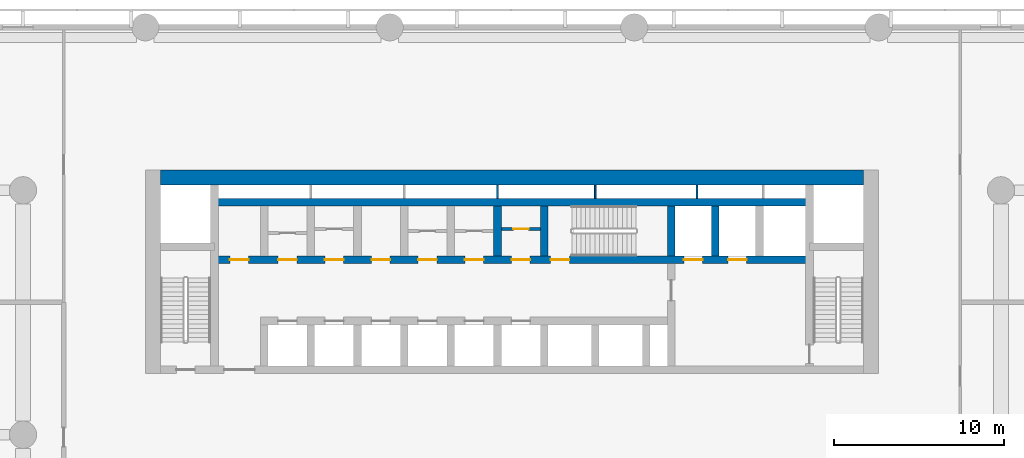
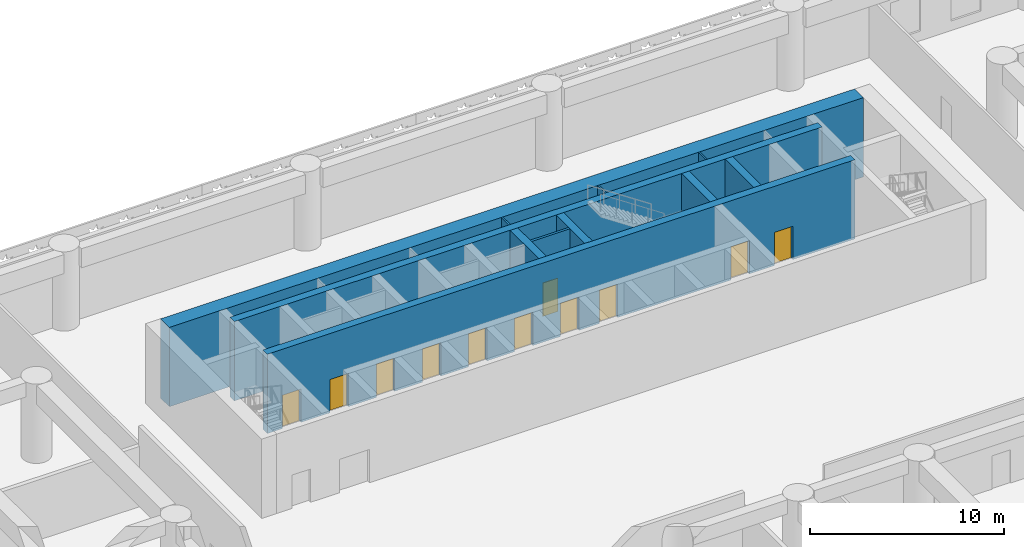
# One storey, part 8 of 30: 11 doors, 11 walls, 11 openings.
"""IFC4 building model written with IfcOpenShell, lengths in metres."""

import ifcopenshell
import ifcopenshell.guid

model = None  # the IFC model being written
_history = None  # IfcOwnerHistory: only IFC2X3 demands one
_inside = {}  # id of a spatial element -> (the spatial element, [elements in it])
_under = {}  # id of a project, library or spatial element -> (it, [spatial elements below it])
_declared = {}  # id of a project -> (the project, [libraries it declares])
_typed = {}  # id of a type object -> (the type object, [elements of that type])
_made_of = {}  # id of a material, layer set ... -> (it, [elements and type objects made of it])


def new_model(schema):
    """Start an empty IFC model of exactly this schema.

    Asked for "IFC4X3", IfcOpenShell would pick the latest addendum, in which some entities
    have other attributes; the version numbers below select the first issue.
    IFC2X3 requires an IfcOwnerHistory on every rooted entity: one is made here for all.
    """
    global model, _history
    if schema == "IFC4X3":
        model = ifcopenshell.file(schema_version=(4, 3, 0, 0))
    else:
        model = ifcopenshell.file(schema=schema)
    _inside.clear()
    _under.clear()
    _declared.clear()
    _typed.clear()
    _made_of.clear()
    _history = None
    if model.schema == "IFC2X3":
        org = make("IfcOrganization", Name="unknown")
        user = make(
            "IfcPersonAndOrganization",
            ThePerson=make("IfcPerson", FamilyName="unknown"),
            TheOrganization=org,
        )
        app = make(
            "IfcApplication",
            ApplicationDeveloper=org,
            Version="unknown",
            ApplicationFullName="unknown",
            ApplicationIdentifier="unknown",
        )
        _history = make(
            "IfcOwnerHistory",
            OwningUser=user,
            OwningApplication=app,
            ChangeAction="ADDED",
            CreationDate=0,
        )
    return model


def make(cls, **values):
    """One entity of the class cls with the attributes given. An attribute that is None is left unset."""
    return model.create_entity(
        cls, **{name: value for name, value in values.items() if value is not None}
    )


def rooted(cls, **values):
    """An entity with a GlobalId (a new one), such as an element, a storey or a relation."""
    return make(cls, GlobalId=ifcopenshell.guid.new(), OwnerHistory=_history, **values)


def si_unit(unit_type, name, prefix=None):
    """IfcSIUnit, for example si_unit("LENGTHUNIT", "METRE", prefix="MILLI")."""
    return make("IfcSIUnit", UnitType=unit_type, Prefix=prefix, Name=name)


def assignment(units):
    """IfcUnitAssignment: the units of a project."""
    return None if units is None else make("IfcUnitAssignment", Units=units)


def point(xyz):
    """IfcCartesianPoint."""
    return None if xyz is None else make("IfcCartesianPoint", Coordinates=xyz)


def direction(xyz):
    """IfcDirection."""
    return None if xyz is None else make("IfcDirection", DirectionRatios=xyz)


def frame(location, z_axis=None, x_axis=None):
    """IfcAxis2Placement3D, a coordinate frame: its origin and axes. An axis left out is left unset."""
    return make(
        "IfcAxis2Placement3D",
        Location=point(location),
        Axis=direction(z_axis),
        RefDirection=direction(x_axis),
    )


def frame_2d(location, x_axis=None):
    """IfcAxis2Placement2D, a coordinate frame in the plane: its origin and x axis."""
    return make(
        "IfcAxis2Placement2D", Location=point(location), RefDirection=direction(x_axis)
    )


def origin():
    """The frame at (0, 0, 0) with its axes left unset."""
    return frame((0.0, 0.0, 0.0))


def place(relative_to, where):
    """IfcLocalPlacement: puts the frame where relative to a parent placement (None: the world)."""
    return make(
        "IfcLocalPlacement", PlacementRelTo=relative_to, RelativePlacement=where
    )


def context(
    kind, dimensions, precision=None, world=None, true_north=None, identifier=None
):
    """IfcGeometricRepresentationContext, for example the 3D "Model" context."""
    return make(
        "IfcGeometricRepresentationContext",
        ContextIdentifier=identifier,
        ContextType=kind,
        CoordinateSpaceDimension=dimensions,
        Precision=precision,
        WorldCoordinateSystem=world,
        TrueNorth=true_north,
    )


def subcontext(parent, identifier, kind, view, scale=None):
    """IfcGeometricRepresentationSubContext, for example "Body" below "Model"."""
    return make(
        "IfcGeometricRepresentationSubContext",
        ContextIdentifier=identifier,
        ContextType=kind,
        ParentContext=parent,
        TargetScale=scale,
        TargetView=view,
    )


def project(units=None, contexts=None):
    """IfcProject with its units and contexts."""
    return rooted(
        "IfcProject",
        Name="project",
        RepresentationContexts=contexts,
        UnitsInContext=assignment(units),
    )


def spatial(cls, under=None, at=None, **own):
    """A site, building, storey or space (cls), placed at a placement, below another one or the project."""
    s = rooted(cls, ObjectPlacement=at, **own)
    if under is not None:
        _under.setdefault(under.id(), (under, []))[1].append(s)
    return s


def profile(cls, at=None, kind="AREA", **sizes):
    """A parametric profile (cls). Its sizes go by their IFC names, for example OverallWidth=200.0."""
    return make(cls, ProfileType=kind, Position=at, **sizes)


def rectangle(**sizes):
    """IfcRectangleProfileDef."""
    return profile("IfcRectangleProfileDef", **sizes)


def extrude(swept, where, along, depth):
    """IfcExtrudedAreaSolid: the profile swept, set in the frame where, extruded along a direction by depth."""
    return make(
        "IfcExtrudedAreaSolid",
        SweptArea=swept,
        Position=where,
        ExtrudedDirection=direction(along),
        Depth=depth,
    )


def shape(context_of_items, identifier, shape_type, items):
    """IfcShapeRepresentation: the items that make up one representation, for example the "Body"."""
    return make(
        "IfcShapeRepresentation",
        ContextOfItems=context_of_items,
        RepresentationIdentifier=identifier,
        RepresentationType=shape_type,
        Items=items,
    )


def material(Name=None, Category=None):
    """IfcMaterial."""
    return make("IfcMaterial", Name=Name, Category=Category)


def layer(
    of_material, thickness, ventilated=None, Name=None, Category=None, Priority=None
):
    """IfcMaterialLayer: one layer of a wall or slab, of a material (None: an air gap)."""
    return make(
        "IfcMaterialLayer",
        Material=of_material,
        LayerThickness=thickness,
        IsVentilated=ventilated,
        Name=Name,
        Category=Category,
        Priority=Priority,
    )


def layer_set(layers, Name=None):
    """IfcMaterialLayerSet."""
    return make("IfcMaterialLayerSet", MaterialLayers=layers, LayerSetName=Name)


def made_of(thing, what):
    """Note that an element or type object is made of a material, layer set ...; save() writes the relation."""
    if what is not None:
        _made_of.setdefault(what.id(), (what, []))[1].append(thing)
    return thing


def type_object(cls, material=None, **own):
    """A type object (cls), such as IfcWallType, which elements share."""
    return made_of(rooted(cls, **own), material)


def element(
    cls,
    number,
    at=None,
    inside=None,
    cuts=None,
    type_object=None,
    material=None,
    context=None,
    identifier="Body",
    shape_type=None,
    held_by="IfcProductDefinitionShape",
    body=None,
    shapes=None,
    **own,
):
    """One element of the class cls, such as IfcWall. Its Tag is "e" and its number.

    at: its placement. inside: the storey or other place that contains it. cuts: it is an
    opening in that element (IfcRelVoidsElement). A single representation is given by context,
    identifier, shape_type and body (its items); several are given by shapes. held_by: the class
    of the entity that holds the representations. save() writes the other relations.
    """
    e = rooted(cls, Tag="e%d" % number, ObjectPlacement=at, **own)
    if body is not None:
        shapes = [shape(context, identifier, shape_type, body)]
    if shapes is not None:
        e.Representation = make(held_by, Representations=shapes)
    if inside is not None:
        _inside.setdefault(inside.id(), (inside, []))[1].append(e)
    if cuts is not None:
        rooted(
            "IfcRelVoidsElement", RelatingBuildingElement=cuts, RelatedOpeningElement=e
        )
    if type_object is not None:
        _typed.setdefault(type_object.id(), (type_object, []))[1].append(e)
    return made_of(e, material)


def fill(opening, filler):
    """IfcRelFillsElement: the door or window that sits in an opening."""
    return rooted(
        "IfcRelFillsElement",
        RelatingOpeningElement=opening,
        RelatedBuildingElement=filler,
    )


def aggregate(whole, parts):
    """IfcRelAggregates: a whole, such as a stair, and the parts it consists of."""
    return rooted("IfcRelAggregates", RelatingObject=whole, RelatedObjects=parts)


def save(model, path):
    """Write the relations noted so far, then the file.

    IfcRelAggregates (storeys below a building ...), IfcRelContainedInSpatialStructure (elements
    in a storey), IfcRelDefinesByType, IfcRelAssociatesMaterial and IfcRelDeclares: one each for
    every whole, place, type object, material and project.
    """
    for whole, parts in _under.values():
        aggregate(whole, parts)
    for where, things in _inside.values():
        rooted(
            "IfcRelContainedInSpatialStructure",
            RelatedElements=things,
            RelatingStructure=where,
        )
    for kind, things in _typed.values():
        rooted("IfcRelDefinesByType", RelatedObjects=things, RelatingType=kind)
    for what, things in _made_of.values():
        rooted("IfcRelAssociatesMaterial", RelatedObjects=things, RelatingMaterial=what)
    for by, libraries in _declared.values():
        rooted("IfcRelDeclares", RelatingContext=by, RelatedDefinitions=libraries)
    model.write(path)


model = new_model("IFC4")

# Units and contexts
model_context = context("Model", 3, precision=1e-05, world=origin(), true_north=direction((0.0, 1.0)))
body_context = subcontext(model_context, "Body", "Model", "MODEL_VIEW")
ifc_project = project(units=[si_unit("LENGTHUNIT", "METRE"), si_unit("AREAUNIT", "SQUARE_METRE"), si_unit("VOLUMEUNIT", "CUBIC_METRE"), si_unit("PLANEANGLEUNIT", "RADIAN"), si_unit("MASSUNIT", "GRAM", prefix="KILO")], contexts=[model_context])

# Site, building, storey
site_placement = place(None, origin())
site = spatial("IfcSite", under=ifc_project, at=site_placement, CompositionType="ELEMENT")
building_placement = place(site_placement, origin())
building = spatial("IfcBuilding", under=site, at=building_placement, Name="Saffron Iwan Residences", CompositionType="ELEMENT")
storey_placement = place(building_placement, frame((0.0, 0.0, 7.800048828125)))
storey = spatial("IfcBuildingStorey", under=building, at=storey_placement, Name="L01", CompositionType="ELEMENT", Elevation=7.800048828125)

# Wall, opening, door
ifc_material_1 = material(Name="Fire-rated plasterboard partition")
ifc_layer_1 = layer(ifc_material_1, 0.14990234375)
ifc_layer_set_1 = layer_set([ifc_layer_1], Name="Fire-rated plasterboard partition")
wall_type_1 = type_object("IfcWallType", Name="Core partition 150", PredefinedType="PARTITIONING", material=ifc_layer_set_1)
wall_1_placement = place(storey_placement, frame((49.77490234375, 74.51806640625, 0.0), z_axis=(0.0, 0.0, 1.0), x_axis=(1.0, 0.0, 0.0)))
wall_1 = element("IfcWall", 1, at=wall_1_placement, inside=storey, type_object=wall_type_1, Name="Core partition P05", PredefinedType="PARTITIONING", context=body_context, shape_type="SweptSolid", body=[
    extrude(rectangle(XDim=2.300048828125, YDim=0.14990234375, at=frame_2d((1.14990234375, 0.0))), origin(), (0.0, 0.0, 1.0), 5.0),
])
opening_1_placement = place(wall_1_placement, frame((0.699951171875, 0.0, 0.0)))
opening_1 = element("IfcOpeningElement", 2, at=opening_1_placement, cuts=wall_1, Name="Opening SB", PredefinedType="OPENING", context=body_context, shape_type="SweptSolid", body=[
    extrude(rectangle(XDim=0.89990234375, YDim=2.10009765625, at=frame_2d((0.449951171875, 1.050048828125))), frame((0.0, 0.0849609375, 0.0), z_axis=(0.0, -1.0, 0.0), x_axis=(1.0, 0.0, 0.0)), (0.0, 0.0, 1.0), 0.169921875),
])
ifc_material_2 = material(Name="Steel fire door", Category="steel")
door_type_1 = type_object("IfcDoorType", Name="Store door 900", OperationType="NOTDEFINED", PredefinedType="DOOR", material=ifc_material_2)
door_1_placement = place(opening_1_placement, origin())
door_1 = element("IfcDoor", 3, at=door_1_placement, inside=storey, type_object=door_type_1, Name="Door Spares store", OperationType="SINGLE_SWING_LEFT", OverallHeight=2.10009765625, OverallWidth=0.89990234375, PredefinedType="DOOR", context=body_context, shape_type="SweptSolid", body=[
    extrude(rectangle(XDim=0.89990234375, YDim=2.10009765625, at=frame_2d((0.449951171875, 1.050048828125))), frame((0.0, 0.02490234375, 0.0), z_axis=(0.0, -1.0, 0.0), x_axis=(1.0, 0.0, 0.0)), (0.0, 0.0, 1.0), 0.050048828125),
])
fill(opening_1, door_1)

# Walls
ifc_layer_2 = layer(ifc_material_1, 0.10009765625)
ifc_layer_set_2 = layer_set([ifc_layer_2], Name="Fire-rated plasterboard partition")
wall_type_2 = type_object("IfcWallType", Name="Riser partition 100", PredefinedType="PARTITIONING", material=ifc_layer_set_2)
for number, where, z_axis, x_axis, name in (
    (4, (49.550048828125, 76.324951171875, 0.0), (0.0, 0.0, 1.0), (0.0, 1.0, 0.0), "Core partition P08"),
    (5, (55.300048828125, 76.324951171875, 0.0), (0.0, 0.0, 1.0), (0.0, 1.0, 0.0), "Core partition P09"),
    (6, (61.300048828125, 76.324951171875, 0.0), (0.0, 0.0, 1.0), (0.0, 1.0, 0.0), "Core partition P10"),
):
    element("IfcWall", number, at=place(storey_placement, frame(where, z_axis=z_axis, x_axis=x_axis)), inside=storey, type_object=wall_type_2, Name=name, PredefinedType="PARTITIONING", context=body_context, shape_type="SweptSolid", body=[
        extrude(rectangle(XDim=0.775146484375, YDim=0.10009765625, at=frame_2d((0.3876953125, 0.0))), origin(), (0.0, 0.0, 1.0), 5.0),
    ])

# Wall, openings, doors
ifc_material_3 = material(Name="Concrete C60/75", Category="concrete")
ifc_layer_3 = layer(ifc_material_3, 0.449951171875)
ifc_layer_set_3 = layer_set([ifc_layer_3], Name="Concrete C60/75")
wall_type_3 = type_object("IfcWallType", Name="WALL CORE 450 C60/75 5000 HIGH", PredefinedType="SHEAR", material=ifc_layer_set_3)
wall_2_placement = place(storey_placement, frame((32.875, 72.699951171875, 0.0), z_axis=(0.0, 0.0, 1.0), x_axis=(1.0, 0.0, 0.0)))
wall_2 = element("IfcWall", 7, at=wall_2_placement, inside=storey, type_object=wall_type_3, Name="Core wall", PredefinedType="SHEAR", context=body_context, shape_type="SweptSolid", body=[
    extrude(rectangle(XDim=35.050048828125, YDim=0.449951171875, at=frame_2d((17.52490234375, 0.0))), origin(), (0.0, 0.0, 1.0), 5.0),
])
opening_2_placement = place(wall_2_placement, frame((19.800048828125, 0.0, 0.0)))
opening_2 = element("IfcOpeningElement", 8, at=opening_2_placement, cuts=wall_2, Name="Opening SD", PredefinedType="OPENING", context=body_context, shape_type="SweptSolid", body=[
    extrude(rectangle(XDim=1.10009765625, YDim=2.10009765625, at=frame_2d((0.550048828125, 1.050048828125))), frame((0.0, 0.23486328125, 0.0), z_axis=(0.0, -1.0, 0.0), x_axis=(1.0, 0.0, 0.0)), (0.0, 0.0, 1.0), 0.469970703125),
])
opening_3_placement = place(wall_2_placement, frame((27.64990234375, 0.0, 0.0)))
opening_3 = element("IfcOpeningElement", 9, at=opening_3_placement, cuts=wall_2, Name="Opening LD", PredefinedType="OPENING", context=body_context, shape_type="SweptSolid", body=[
    extrude(rectangle(XDim=1.10009765625, YDim=2.10009765625, at=frame_2d((0.550048828125, 1.050048828125))), frame((0.0, 0.23486328125, 0.0), z_axis=(0.0, -1.0, 0.0), x_axis=(1.0, 0.0, 0.0)), (0.0, 0.0, 1.0), 0.469970703125),
])
opening_4_placement = place(wall_2_placement, frame((30.25, 0.0, 0.0)))
opening_4 = element("IfcOpeningElement", 10, at=opening_4_placement, cuts=wall_2, Name="Opening LD", PredefinedType="OPENING", context=body_context, shape_type="SweptSolid", body=[
    extrude(rectangle(XDim=1.10009765625, YDim=2.10009765625, at=frame_2d((0.550048828125, 1.050048828125))), frame((0.0, 0.23486328125, 0.0), z_axis=(0.0, -1.0, 0.0), x_axis=(1.0, 0.0, 0.0)), (0.0, 0.0, 1.0), 0.469970703125),
])
opening_5_placement = place(wall_2_placement, frame((3.75, 0.0, 0.0)))
opening_5 = element("IfcOpeningElement", 11, at=opening_5_placement, cuts=wall_2, Name="Opening SR", PredefinedType="OPENING", context=body_context, shape_type="SweptSolid", body=[
    extrude(rectangle(XDim=1.10009765625, YDim=2.10009765625, at=frame_2d((0.550048828125, 1.050048828125))), frame((0.0, 0.23486328125, 0.0), z_axis=(0.0, -1.0, 0.0), x_axis=(1.0, 0.0, 0.0)), (0.0, 0.0, 1.0), 0.469970703125),
])
opening_6_placement = place(wall_2_placement, frame((6.5, 0.0, 0.0)))
opening_6 = element("IfcOpeningElement", 12, at=opening_6_placement, cuts=wall_2, Name="Opening SR", PredefinedType="OPENING", context=body_context, shape_type="SweptSolid", body=[
    extrude(rectangle(XDim=1.10009765625, YDim=2.10009765625, at=frame_2d((0.550048828125, 1.050048828125))), frame((0.0, 0.23486328125, 0.0), z_axis=(0.0, -1.0, 0.0), x_axis=(1.0, 0.0, 0.0)), (0.0, 0.0, 1.0), 0.469970703125),
])
opening_7_placement = place(wall_2_placement, frame((9.25, 0.0, 0.0)))
opening_7 = element("IfcOpeningElement", 13, at=opening_7_placement, cuts=wall_2, Name="Opening SR", PredefinedType="OPENING", context=body_context, shape_type="SweptSolid", body=[
    extrude(rectangle(XDim=1.10009765625, YDim=2.10009765625, at=frame_2d((0.550048828125, 1.050048828125))), frame((0.0, 0.23486328125, 0.0), z_axis=(0.0, -1.0, 0.0), x_axis=(1.0, 0.0, 0.0)), (0.0, 0.0, 1.0), 0.469970703125),
])
opening_8_placement = place(wall_2_placement, frame((12.0, 0.0, 0.0)))
opening_8 = element("IfcOpeningElement", 14, at=opening_8_placement, cuts=wall_2, Name="Opening SR", PredefinedType="OPENING", context=body_context, shape_type="SweptSolid", body=[
    extrude(rectangle(XDim=1.10009765625, YDim=2.10009765625, at=frame_2d((0.550048828125, 1.050048828125))), frame((0.0, 0.23486328125, 0.0), z_axis=(0.0, -1.0, 0.0), x_axis=(1.0, 0.0, 0.0)), (0.0, 0.0, 1.0), 0.469970703125),
])
opening_9_placement = place(wall_2_placement, frame((14.75, 0.0, 0.0)))
opening_9 = element("IfcOpeningElement", 15, at=opening_9_placement, cuts=wall_2, Name="Opening SR", PredefinedType="OPENING", context=body_context, shape_type="SweptSolid", body=[
    extrude(rectangle(XDim=1.10009765625, YDim=2.10009765625, at=frame_2d((0.550048828125, 1.050048828125))), frame((0.0, 0.23486328125, 0.0), z_axis=(0.0, -1.0, 0.0), x_axis=(1.0, 0.0, 0.0)), (0.0, 0.0, 1.0), 0.469970703125),
])
opening_10_placement = place(wall_2_placement, frame((17.5, 0.0, 0.0)))
opening_10 = element("IfcOpeningElement", 16, at=opening_10_placement, cuts=wall_2, Name="Opening SR", PredefinedType="OPENING", context=body_context, shape_type="SweptSolid", body=[
    extrude(rectangle(XDim=1.10009765625, YDim=2.10009765625, at=frame_2d((0.550048828125, 1.050048828125))), frame((0.0, 0.23486328125, 0.0), z_axis=(0.0, -1.0, 0.0), x_axis=(1.0, 0.0, 0.0)), (0.0, 0.0, 1.0), 0.469970703125),
])
opening_11_placement = place(wall_2_placement, frame((0.91259765625, 0.0, 0.0)))
opening_11 = element("IfcOpeningElement", 17, at=opening_11_placement, cuts=wall_2, Name="Opening SR", PredefinedType="OPENING", context=body_context, shape_type="SweptSolid", body=[
    extrude(rectangle(XDim=1.10009765625, YDim=2.10009765625, at=frame_2d((0.550048828125, 1.050048828125))), frame((0.0, 0.23486328125, 0.0), z_axis=(0.0, -1.0, 0.0), x_axis=(1.0, 0.0, 0.0)), (0.0, 0.0, 1.0), 0.469970703125),
])
door_type_2 = type_object("IfcDoorType", Name="Lift landing door 1100", OperationType="SLIDING_TO_LEFT", PredefinedType="DOOR", material=ifc_material_2)
door_2_placement = place(opening_3_placement, origin())
door_2 = element("IfcDoor", 18, at=door_2_placement, inside=storey, type_object=door_type_2, Name="Landing doors FF1", OperationType="SLIDING_TO_LEFT", OverallHeight=2.10009765625, OverallWidth=1.10009765625, PredefinedType="DOOR", context=body_context, shape_type="SweptSolid", body=[
    extrude(rectangle(XDim=1.10009765625, YDim=2.10009765625, at=frame_2d((0.550048828125, 1.050048828125))), frame((0.0, 0.02490234375, 0.0), z_axis=(0.0, -1.0, 0.0), x_axis=(1.0, 0.0, 0.0)), (0.0, 0.0, 1.0), 0.050048828125),
])
fill(opening_3, door_2)
door_3_placement = place(opening_4_placement, origin())
door_3 = element("IfcDoor", 19, at=door_3_placement, inside=storey, type_object=door_type_2, Name="Landing doors FF2", OperationType="SLIDING_TO_LEFT", OverallHeight=2.10009765625, OverallWidth=1.10009765625, PredefinedType="DOOR", context=body_context, shape_type="SweptSolid", body=[
    extrude(rectangle(XDim=1.10009765625, YDim=2.10009765625, at=frame_2d((0.550048828125, 1.050048828125))), frame((0.0, 0.02490234375, 0.0), z_axis=(0.0, -1.0, 0.0), x_axis=(1.0, 0.0, 0.0)), (0.0, 0.0, 1.0), 0.050048828125),
])
fill(opening_4, door_3)
door_type_3 = type_object("IfcDoorType", Name="Service door 1100", OperationType="NOTDEFINED", PredefinedType="DOOR", material=ifc_material_2)
door_4_placement = place(opening_5_placement, origin())
door_4 = element("IfcDoor", 20, at=door_4_placement, inside=storey, type_object=door_type_3, Name="Door Switch room", OperationType="SINGLE_SWING_LEFT", OverallHeight=2.10009765625, OverallWidth=1.10009765625, PredefinedType="DOOR", context=body_context, shape_type="SweptSolid", body=[
    extrude(rectangle(XDim=1.10009765625, YDim=2.10009765625, at=frame_2d((0.550048828125, 1.050048828125))), frame((0.0, 0.02490234375, 0.0), z_axis=(0.0, -1.0, 0.0), x_axis=(1.0, 0.0, 0.0)), (0.0, 0.0, 1.0), 0.050048828125),
])
fill(opening_5, door_4)
door_5_placement = place(opening_6_placement, origin())
door_5 = element("IfcDoor", 21, at=door_5_placement, inside=storey, type_object=door_type_3, Name="Door Furniture store", OperationType="SINGLE_SWING_LEFT", OverallHeight=2.10009765625, OverallWidth=1.10009765625, PredefinedType="DOOR", context=body_context, shape_type="SweptSolid", body=[
    extrude(rectangle(XDim=1.10009765625, YDim=2.10009765625, at=frame_2d((0.550048828125, 1.050048828125))), frame((0.0, 0.02490234375, 0.0), z_axis=(0.0, -1.0, 0.0), x_axis=(1.0, 0.0, 0.0)), (0.0, 0.0, 1.0), 0.050048828125),
])
fill(opening_6, door_5)
door_6_placement = place(opening_7_placement, origin())
door_6 = element("IfcDoor", 22, at=door_6_placement, inside=storey, type_object=door_type_3, Name="Door Housekeeping store", OperationType="SINGLE_SWING_LEFT", OverallHeight=2.10009765625, OverallWidth=1.10009765625, PredefinedType="DOOR", context=body_context, shape_type="SweptSolid", body=[
    extrude(rectangle(XDim=1.10009765625, YDim=2.10009765625, at=frame_2d((0.550048828125, 1.050048828125))), frame((0.0, 0.02490234375, 0.0), z_axis=(0.0, -1.0, 0.0), x_axis=(1.0, 0.0, 0.0)), (0.0, 0.0, 1.0), 0.050048828125),
])
fill(opening_7, door_6)
door_7_placement = place(opening_8_placement, origin())
door_7 = element("IfcDoor", 23, at=door_7_placement, inside=storey, type_object=door_type_3, Name="Door Cleaner's store", OperationType="SINGLE_SWING_LEFT", OverallHeight=2.10009765625, OverallWidth=1.10009765625, PredefinedType="DOOR", context=body_context, shape_type="SweptSolid", body=[
    extrude(rectangle(XDim=1.10009765625, YDim=2.10009765625, at=frame_2d((0.550048828125, 1.050048828125))), frame((0.0, 0.02490234375, 0.0), z_axis=(0.0, -1.0, 0.0), x_axis=(1.0, 0.0, 0.0)), (0.0, 0.0, 1.0), 0.050048828125),
])
fill(opening_8, door_7)
door_8_placement = place(opening_9_placement, origin())
door_8 = element("IfcDoor", 24, at=door_8_placement, inside=storey, type_object=door_type_3, Name="Door Trolley store", OperationType="SINGLE_SWING_LEFT", OverallHeight=2.10009765625, OverallWidth=1.10009765625, PredefinedType="DOOR", context=body_context, shape_type="SweptSolid", body=[
    extrude(rectangle(XDim=1.10009765625, YDim=2.10009765625, at=frame_2d((0.550048828125, 1.050048828125))), frame((0.0, 0.02490234375, 0.0), z_axis=(0.0, -1.0, 0.0), x_axis=(1.0, 0.0, 0.0)), (0.0, 0.0, 1.0), 0.050048828125),
])
fill(opening_9, door_8)
door_9_placement = place(opening_10_placement, origin())
door_9 = element("IfcDoor", 25, at=door_9_placement, inside=storey, type_object=door_type_3, Name="Door Communications room", OperationType="SINGLE_SWING_LEFT", OverallHeight=2.10009765625, OverallWidth=1.10009765625, PredefinedType="DOOR", context=body_context, shape_type="SweptSolid", body=[
    extrude(rectangle(XDim=1.10009765625, YDim=2.10009765625, at=frame_2d((0.550048828125, 1.050048828125))), frame((0.0, 0.02490234375, 0.0), z_axis=(0.0, -1.0, 0.0), x_axis=(1.0, 0.0, 0.0)), (0.0, 0.0, 1.0), 0.050048828125),
])
fill(opening_10, door_9)
door_10_placement = place(opening_11_placement, origin())
door_10 = element("IfcDoor", 26, at=door_10_placement, inside=storey, type_object=door_type_3, Name="Door Meter room", OperationType="SINGLE_SWING_LEFT", OverallHeight=2.10009765625, OverallWidth=1.10009765625, PredefinedType="DOOR", context=body_context, shape_type="SweptSolid", body=[
    extrude(rectangle(XDim=1.10009765625, YDim=2.10009765625, at=frame_2d((0.550048828125, 1.050048828125))), frame((0.0, 0.02490234375, 0.0), z_axis=(0.0, -1.0, 0.0), x_axis=(1.0, 0.0, 0.0)), (0.0, 0.0, 1.0), 0.050048828125),
])
fill(opening_11, door_10)
door_type_4 = type_object("IfcDoorType", Name="Stair door 1100", OperationType="NOTDEFINED", PredefinedType="DOOR", material=ifc_material_2)
door_11_placement = place(opening_2_placement, origin())
door_11 = element("IfcDoor", 27, at=door_11_placement, inside=storey, type_object=door_type_4, Name="Stair door ST-C", OperationType="SINGLE_SWING_LEFT", OverallHeight=2.10009765625, OverallWidth=1.10009765625, PredefinedType="DOOR", context=body_context, shape_type="SweptSolid", body=[
    extrude(rectangle(XDim=1.10009765625, YDim=2.10009765625, at=frame_2d((0.550048828125, 1.050048828125))), frame((0.0, 0.02490234375, 0.0), z_axis=(0.0, -1.0, 0.0), x_axis=(1.0, 0.0, 0.0)), (0.0, 0.0, 1.0), 0.050048828125),
])
fill(opening_2, door_11)

# Walls
wall_3_placement = place(storey_placement, frame((32.875, 76.10009765625, 0.0), z_axis=(0.0, 0.0, 1.0), x_axis=(1.0, 0.0, 0.0)))
element("IfcWall", 28, at=wall_3_placement, inside=storey, type_object=wall_type_3, Name="Core wall", PredefinedType="SHEAR", context=body_context, shape_type="SweptSolid", body=[
    extrude(rectangle(XDim=35.050048828125, YDim=0.449951171875, at=frame_2d((17.52490234375, 0.0))), origin(), (0.0, 0.0, 1.0), 5.0),
])
for number, where, z_axis, x_axis, name in (
    (29, (59.77490234375, 72.925048828125, 0.0), (0.0, 0.0, 1.0), (0.0, 1.0, 0.0), "Core wall"),
    (30, (49.550048828125, 72.925048828125, 0.0), (0.0, 0.0, 1.0), (0.0, 1.0, 0.0), "Core wall"),
    (31, (52.300048828125, 72.925048828125, 0.0), (0.0, 0.0, 1.0), (0.0, 1.0, 0.0), "Core wall"),
    (32, (62.375, 72.925048828125, 0.0), (0.0, 0.0, 1.0), (0.0, 1.0, 0.0), "Core wall"),
):
    element("IfcWall", number, at=place(storey_placement, frame(where, z_axis=z_axis, x_axis=x_axis)), inside=storey, type_object=wall_type_3, Name=name, PredefinedType="SHEAR", context=body_context, shape_type="SweptSolid", body=[
        extrude(rectangle(XDim=2.949951171875, YDim=0.449951171875, at=frame_2d((1.47509765625, 0.0))), origin(), (0.0, 0.0, 1.0), 5.0),
    ])
ifc_layer_4 = layer(ifc_material_3, 0.89990234375)
ifc_layer_set_4 = layer_set([ifc_layer_4], Name="Concrete C60/75")
wall_type_4 = type_object("IfcWallType", Name="WALL CORE 900 C60/75 5000 HIGH", PredefinedType="SHEAR", material=ifc_layer_set_4)
wall_4_placement = place(storey_placement, frame((29.699951171875, 77.550048828125, 0.0), z_axis=(0.0, 0.0, 1.0), x_axis=(1.0, 0.0, 0.0)))
element("IfcWall", 33, at=wall_4_placement, inside=storey, type_object=wall_type_4, Name="Core wall", PredefinedType="SHEAR", context=body_context, shape_type="SweptSolid", body=[
    extrude(rectangle(XDim=41.400146484375, YDim=0.89990234375, at=frame_2d((20.7001953125, 0.0))), origin(), (0.0, 0.0, 1.0), 5.0),
])

save(model, "model.ifc")
